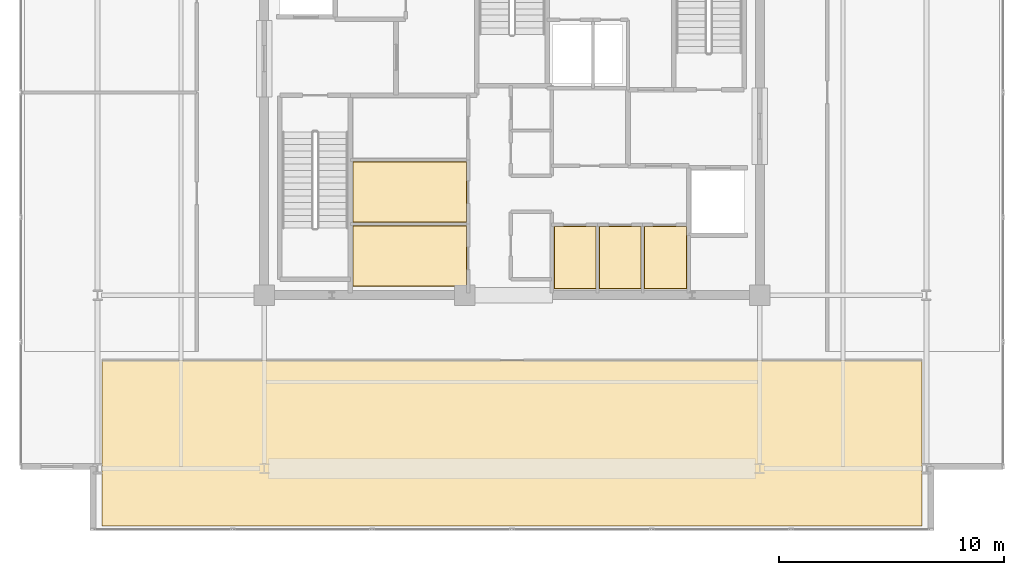
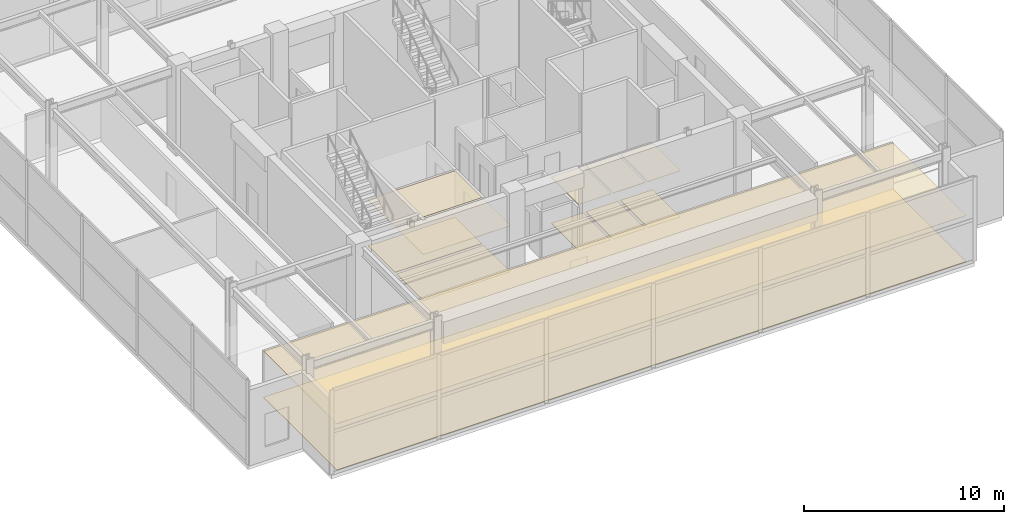
# One storey, part 22 of 24: 12 coverings.
"""IFC4 building model written with IfcOpenShell, lengths in metres."""

import ifcopenshell
import ifcopenshell.guid

model = None  # the IFC model being written
_history = None  # IfcOwnerHistory: only IFC2X3 demands one
_inside = {}  # id of a spatial element -> (the spatial element, [elements in it])
_under = {}  # id of a project, library or spatial element -> (it, [spatial elements below it])
_declared = {}  # id of a project -> (the project, [libraries it declares])
_typed = {}  # id of a type object -> (the type object, [elements of that type])
_made_of = {}  # id of a material, layer set ... -> (it, [elements and type objects made of it])


def new_model(schema):
    """Start an empty IFC model of exactly this schema.

    Asked for "IFC4X3", IfcOpenShell would pick the latest addendum, in which some entities
    have other attributes; the version numbers below select the first issue.
    IFC2X3 requires an IfcOwnerHistory on every rooted entity: one is made here for all.
    """
    global model, _history
    if schema == "IFC4X3":
        model = ifcopenshell.file(schema_version=(4, 3, 0, 0))
    else:
        model = ifcopenshell.file(schema=schema)
    _inside.clear()
    _under.clear()
    _declared.clear()
    _typed.clear()
    _made_of.clear()
    _history = None
    if model.schema == "IFC2X3":
        org = make("IfcOrganization", Name="unknown")
        user = make(
            "IfcPersonAndOrganization",
            ThePerson=make("IfcPerson", FamilyName="unknown"),
            TheOrganization=org,
        )
        app = make(
            "IfcApplication",
            ApplicationDeveloper=org,
            Version="unknown",
            ApplicationFullName="unknown",
            ApplicationIdentifier="unknown",
        )
        _history = make(
            "IfcOwnerHistory",
            OwningUser=user,
            OwningApplication=app,
            ChangeAction="ADDED",
            CreationDate=0,
        )
    return model


def make(cls, **values):
    """One entity of the class cls with the attributes given. An attribute that is None is left unset."""
    return model.create_entity(
        cls, **{name: value for name, value in values.items() if value is not None}
    )


def rooted(cls, **values):
    """An entity with a GlobalId (a new one), such as an element, a storey or a relation."""
    return make(cls, GlobalId=ifcopenshell.guid.new(), OwnerHistory=_history, **values)


def si_unit(unit_type, name, prefix=None):
    """IfcSIUnit, for example si_unit("LENGTHUNIT", "METRE", prefix="MILLI")."""
    return make("IfcSIUnit", UnitType=unit_type, Prefix=prefix, Name=name)


def assignment(units):
    """IfcUnitAssignment: the units of a project."""
    return None if units is None else make("IfcUnitAssignment", Units=units)


def point(xyz):
    """IfcCartesianPoint."""
    return None if xyz is None else make("IfcCartesianPoint", Coordinates=xyz)


def direction(xyz):
    """IfcDirection."""
    return None if xyz is None else make("IfcDirection", DirectionRatios=xyz)


def frame(location, z_axis=None, x_axis=None):
    """IfcAxis2Placement3D, a coordinate frame: its origin and axes. An axis left out is left unset."""
    return make(
        "IfcAxis2Placement3D",
        Location=point(location),
        Axis=direction(z_axis),
        RefDirection=direction(x_axis),
    )


def origin():
    """The frame at (0, 0, 0) with its axes left unset."""
    return frame((0.0, 0.0, 0.0))


def place(relative_to, where):
    """IfcLocalPlacement: puts the frame where relative to a parent placement (None: the world)."""
    return make(
        "IfcLocalPlacement", PlacementRelTo=relative_to, RelativePlacement=where
    )


def context(
    kind, dimensions, precision=None, world=None, true_north=None, identifier=None
):
    """IfcGeometricRepresentationContext, for example the 3D "Model" context."""
    return make(
        "IfcGeometricRepresentationContext",
        ContextIdentifier=identifier,
        ContextType=kind,
        CoordinateSpaceDimension=dimensions,
        Precision=precision,
        WorldCoordinateSystem=world,
        TrueNorth=true_north,
    )


def subcontext(parent, identifier, kind, view, scale=None):
    """IfcGeometricRepresentationSubContext, for example "Body" below "Model"."""
    return make(
        "IfcGeometricRepresentationSubContext",
        ContextIdentifier=identifier,
        ContextType=kind,
        ParentContext=parent,
        TargetScale=scale,
        TargetView=view,
    )


def project(units=None, contexts=None):
    """IfcProject with its units and contexts."""
    return rooted(
        "IfcProject",
        Name="project",
        RepresentationContexts=contexts,
        UnitsInContext=assignment(units),
    )


def spatial(cls, under=None, at=None, **own):
    """A site, building, storey or space (cls), placed at a placement, below another one or the project."""
    s = rooted(cls, ObjectPlacement=at, **own)
    if under is not None:
        _under.setdefault(under.id(), (under, []))[1].append(s)
    return s


def polyline(points):
    """IfcPolyline through the points."""
    return make("IfcPolyline", Points=[point(p) for p in points])


def outline(outer, holes=None, kind="AREA"):
    """IfcArbitraryClosedProfileDef: a profile drawn as a closed curve; with holes, ...WithVoids."""
    if holes is None:
        return make("IfcArbitraryClosedProfileDef", ProfileType=kind, OuterCurve=outer)
    return make(
        "IfcArbitraryProfileDefWithVoids",
        ProfileType=kind,
        OuterCurve=outer,
        InnerCurves=holes,
    )


def extrude(swept, where, along, depth):
    """IfcExtrudedAreaSolid: the profile swept, set in the frame where, extruded along a direction by depth."""
    return make(
        "IfcExtrudedAreaSolid",
        SweptArea=swept,
        Position=where,
        ExtrudedDirection=direction(along),
        Depth=depth,
    )


def shape(context_of_items, identifier, shape_type, items):
    """IfcShapeRepresentation: the items that make up one representation, for example the "Body"."""
    return make(
        "IfcShapeRepresentation",
        ContextOfItems=context_of_items,
        RepresentationIdentifier=identifier,
        RepresentationType=shape_type,
        Items=items,
    )


def material(Name=None, Category=None):
    """IfcMaterial."""
    return make("IfcMaterial", Name=Name, Category=Category)


def layer(
    of_material, thickness, ventilated=None, Name=None, Category=None, Priority=None
):
    """IfcMaterialLayer: one layer of a wall or slab, of a material (None: an air gap)."""
    return make(
        "IfcMaterialLayer",
        Material=of_material,
        LayerThickness=thickness,
        IsVentilated=ventilated,
        Name=Name,
        Category=Category,
        Priority=Priority,
    )


def layer_set(layers, Name=None):
    """IfcMaterialLayerSet."""
    return make("IfcMaterialLayerSet", MaterialLayers=layers, LayerSetName=Name)


def made_of(thing, what):
    """Note that an element or type object is made of a material, layer set ...; save() writes the relation."""
    if what is not None:
        _made_of.setdefault(what.id(), (what, []))[1].append(thing)
    return thing


def type_object(cls, material=None, **own):
    """A type object (cls), such as IfcWallType, which elements share."""
    return made_of(rooted(cls, **own), material)


def element(
    cls,
    number,
    at=None,
    inside=None,
    cuts=None,
    type_object=None,
    material=None,
    context=None,
    identifier="Body",
    shape_type=None,
    held_by="IfcProductDefinitionShape",
    body=None,
    shapes=None,
    **own,
):
    """One element of the class cls, such as IfcWall. Its Tag is "e" and its number.

    at: its placement. inside: the storey or other place that contains it. cuts: it is an
    opening in that element (IfcRelVoidsElement). A single representation is given by context,
    identifier, shape_type and body (its items); several are given by shapes. held_by: the class
    of the entity that holds the representations. save() writes the other relations.
    """
    e = rooted(cls, Tag="e%d" % number, ObjectPlacement=at, **own)
    if body is not None:
        shapes = [shape(context, identifier, shape_type, body)]
    if shapes is not None:
        e.Representation = make(held_by, Representations=shapes)
    if inside is not None:
        _inside.setdefault(inside.id(), (inside, []))[1].append(e)
    if cuts is not None:
        rooted(
            "IfcRelVoidsElement", RelatingBuildingElement=cuts, RelatedOpeningElement=e
        )
    if type_object is not None:
        _typed.setdefault(type_object.id(), (type_object, []))[1].append(e)
    return made_of(e, material)


def aggregate(whole, parts):
    """IfcRelAggregates: a whole, such as a stair, and the parts it consists of."""
    return rooted("IfcRelAggregates", RelatingObject=whole, RelatedObjects=parts)


def save(model, path):
    """Write the relations noted so far, then the file.

    IfcRelAggregates (storeys below a building ...), IfcRelContainedInSpatialStructure (elements
    in a storey), IfcRelDefinesByType, IfcRelAssociatesMaterial and IfcRelDeclares: one each for
    every whole, place, type object, material and project.
    """
    for whole, parts in _under.values():
        aggregate(whole, parts)
    for where, things in _inside.values():
        rooted(
            "IfcRelContainedInSpatialStructure",
            RelatedElements=things,
            RelatingStructure=where,
        )
    for kind, things in _typed.values():
        rooted("IfcRelDefinesByType", RelatedObjects=things, RelatingType=kind)
    for what, things in _made_of.values():
        rooted("IfcRelAssociatesMaterial", RelatedObjects=things, RelatingMaterial=what)
    for by, libraries in _declared.values():
        rooted("IfcRelDeclares", RelatingContext=by, RelatedDefinitions=libraries)
    model.write(path)


model = new_model("IFC4")

# Units and contexts
model_context = context("Model", 3, precision=1e-05, world=origin(), true_north=direction((0.0, 1.0)))
body_context = subcontext(model_context, "Body", "Model", "MODEL_VIEW")
ifc_project = project(units=[si_unit("LENGTHUNIT", "METRE"), si_unit("AREAUNIT", "SQUARE_METRE"), si_unit("VOLUMEUNIT", "CUBIC_METRE"), si_unit("PLANEANGLEUNIT", "RADIAN"), si_unit("MASSUNIT", "GRAM", prefix="KILO")], contexts=[model_context])

# Site, building, storey
site_placement = place(None, origin())
site = spatial("IfcSite", under=ifc_project, at=site_placement, CompositionType="ELEMENT")
building_placement = place(site_placement, origin())
building = spatial("IfcBuilding", under=site, at=building_placement, Name="Kovane Verandah Tower", CompositionType="ELEMENT")
storey_placement = place(building_placement, frame((0.0, 0.0, 348.800048828125)))
storey = spatial("IfcBuildingStorey", under=building, at=storey_placement, Name="L81", CompositionType="ELEMENT", Elevation=348.800048828125)

# Coverings
ifc_material_1 = material(Name="Perforated Acoustic Mineral-Fibre Ceiling Tile", Category="gypsum")
ifc_layer_1 = layer(ifc_material_1, 0.02490234375)
ifc_layer_set_1 = layer_set([ifc_layer_1], Name="Perforated Acoustic Mineral-Fibre Ceiling Tile")
covering_type_1 = type_object("IfcCoveringType", Name="CV-CEIL-25", PredefinedType="CEILING", material=ifc_layer_set_1)
covering_1_placement = place(storey_placement, frame((0.0, 0.0, 2.824951171875)))
element("IfcCovering", 1, at=covering_1_placement, inside=storey, type_object=covering_type_1, Name="L81 Project Archive Room Acoustic Ceiling", PredefinedType="CEILING", context=body_context, shape_type="SweptSolid", body=[
    extrude(outline(polyline([(32.93505859375, 18.885009765625), (37.9951171875, 18.885009765625), (37.9951171875, 21.594970703125), (32.93505859375, 21.594970703125), (32.93505859375, 18.885009765625)])), origin(), (0.0, 0.0, 1.0), 0.02490234375),
])
covering_2_placement = place(storey_placement, frame((0.0, 0.0, 2.824951171875)))
element("IfcCovering", 2, at=covering_2_placement, inside=storey, type_object=covering_type_1, Name="L81 First Aid and Wellness Room Acoustic Ceiling", PredefinedType="CEILING", context=body_context, shape_type="SweptSolid", body=[
    extrude(outline(polyline([(32.93505859375, 21.72509765625), (37.9951171875, 21.72509765625), (37.9951171875, 24.43505859375), (32.93505859375, 24.43505859375), (32.93505859375, 21.72509765625)])), origin(), (0.0, 0.0, 1.0), 0.02490234375),
])
covering_3_placement = place(storey_placement, frame((0.0, 0.0, 2.824951171875)))
element("IfcCovering", 3, at=covering_3_placement, inside=storey, type_object=covering_type_1, Name="L81 Mail and Copy Room Acoustic Ceiling", PredefinedType="CEILING", context=body_context, shape_type="SweptSolid", body=[
    extrude(outline(polyline([(41.864990234375, 18.784912109375), (43.735107421875, 18.784912109375), (43.735107421875, 21.56494140625), (41.864990234375, 21.56494140625), (41.864990234375, 18.784912109375)])), origin(), (0.0, 0.0, 1.0), 0.02490234375),
])
covering_4_placement = place(storey_placement, frame((0.0, 0.0, 2.824951171875)))
element("IfcCovering", 4, at=covering_4_placement, inside=storey, type_object=covering_type_1, Name="L81 First Aid Room Acoustic Ceiling", PredefinedType="CEILING", context=body_context, shape_type="SweptSolid", body=[
    extrude(outline(polyline([(43.864990234375, 18.784912109375), (45.735107421875, 18.784912109375), (45.735107421875, 21.56494140625), (43.864990234375, 21.56494140625), (43.864990234375, 18.784912109375)])), origin(), (0.0, 0.0, 1.0), 0.02490234375),
])
covering_5_placement = place(storey_placement, frame((0.0, 0.0, 2.824951171875)))
element("IfcCovering", 5, at=covering_5_placement, inside=storey, type_object=covering_type_1, Name="L81 Quiet Wellness Room Acoustic Ceiling", PredefinedType="CEILING", context=body_context, shape_type="SweptSolid", body=[
    extrude(outline(polyline([(45.864990234375, 18.784912109375), (47.764892578125, 18.784912109375), (47.764892578125, 21.56494140625), (45.864990234375, 21.56494140625), (45.864990234375, 18.784912109375)])), origin(), (0.0, 0.0, 1.0), 0.02490234375),
])
covering_6_placement = place(storey_placement, frame((0.0, 0.0, 2.824951171875)))
element("IfcCovering", 6, at=covering_6_placement, inside=storey, type_object=covering_type_1, Name="L81 Public Observation Viewing Gallery South Acoustic Ceiling", PredefinedType="CEILING", context=body_context, shape_type="SweptSolid", body=[
    extrude(outline(polyline([(21.800048828125, 8.25), (58.199951171875, 8.25), (58.199951171875, 15.60009765625), (21.800048828125, 15.60009765625), (21.800048828125, 8.25)])), origin(), (0.0, 0.0, 1.0), 0.02490234375),
])
ifc_material_2 = material(Name="Polished Terrazzo and Raised-Access Carpet Tile Finish", Category="concrete")
ifc_layer_2 = layer(ifc_material_2, 0.030029296875)
ifc_layer_set_2 = layer_set([ifc_layer_2], Name="Polished Terrazzo and Raised-Access Carpet Tile Finish")
covering_type_2 = type_object("IfcCoveringType", Name="CV-FLOR-30", PredefinedType="FLOORING", material=ifc_layer_set_2)
covering_7_placement = place(storey_placement, origin())
element("IfcCovering", 7, at=covering_7_placement, inside=storey, type_object=covering_type_2, Name="L81 Project Archive Room Floor Finish", PredefinedType="FLOORING", context=body_context, shape_type="SweptSolid", body=[
    extrude(outline(polyline([(32.949951171875, 18.89990234375), (37.97998046875, 18.89990234375), (37.97998046875, 21.580078125), (32.949951171875, 21.580078125), (32.949951171875, 18.89990234375)])), origin(), (0.0, 0.0, 1.0), 0.030029296875),
])
covering_8_placement = place(storey_placement, origin())
element("IfcCovering", 8, at=covering_8_placement, inside=storey, type_object=covering_type_2, Name="L81 First Aid and Wellness Room Floor Finish", PredefinedType="FLOORING", context=body_context, shape_type="SweptSolid", body=[
    extrude(outline(polyline([(32.949951171875, 21.739990234375), (37.97998046875, 21.739990234375), (37.97998046875, 24.419921875), (32.949951171875, 24.419921875), (32.949951171875, 21.739990234375)])), origin(), (0.0, 0.0, 1.0), 0.030029296875),
])
covering_9_placement = place(storey_placement, origin())
element("IfcCovering", 9, at=covering_9_placement, inside=storey, type_object=covering_type_2, Name="L81 Mail and Copy Room Floor Finish", PredefinedType="FLOORING", context=body_context, shape_type="SweptSolid", body=[
    extrude(outline(polyline([(41.8798828125, 18.800048828125), (43.719970703125, 18.800048828125), (43.719970703125, 21.550048828125), (41.8798828125, 21.550048828125), (41.8798828125, 18.800048828125)])), origin(), (0.0, 0.0, 1.0), 0.030029296875),
])
covering_10_placement = place(storey_placement, origin())
element("IfcCovering", 10, at=covering_10_placement, inside=storey, type_object=covering_type_2, Name="L81 First Aid Room Floor Finish", PredefinedType="FLOORING", context=body_context, shape_type="SweptSolid", body=[
    extrude(outline(polyline([(43.8798828125, 18.800048828125), (45.719970703125, 18.800048828125), (45.719970703125, 21.550048828125), (43.8798828125, 21.550048828125), (43.8798828125, 18.800048828125)])), origin(), (0.0, 0.0, 1.0), 0.030029296875),
])
covering_11_placement = place(storey_placement, origin())
element("IfcCovering", 11, at=covering_11_placement, inside=storey, type_object=covering_type_2, Name="L81 Quiet Wellness Room Floor Finish", PredefinedType="FLOORING", context=body_context, shape_type="SweptSolid", body=[
    extrude(outline(polyline([(45.8798828125, 18.800048828125), (47.75, 18.800048828125), (47.75, 21.550048828125), (45.8798828125, 21.550048828125), (45.8798828125, 18.800048828125)])), origin(), (0.0, 0.0, 1.0), 0.030029296875),
])
covering_12_placement = place(storey_placement, origin())
element("IfcCovering", 12, at=covering_12_placement, inside=storey, type_object=covering_type_2, Name="L81 Public Observation Viewing Gallery South Floor Finish", PredefinedType="FLOORING", context=body_context, shape_type="SweptSolid", body=[
    extrude(outline(polyline([(21.800048828125, 8.25), (58.199951171875, 8.25), (58.199951171875, 15.60009765625), (21.800048828125, 15.60009765625), (21.800048828125, 8.25)])), origin(), (0.0, 0.0, 1.0), 0.030029296875),
])

save(model, "model.ifc")
